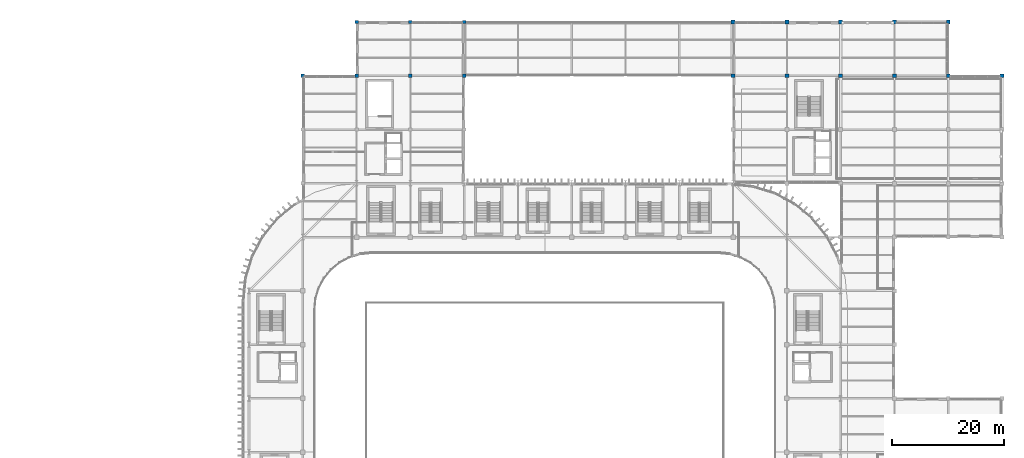
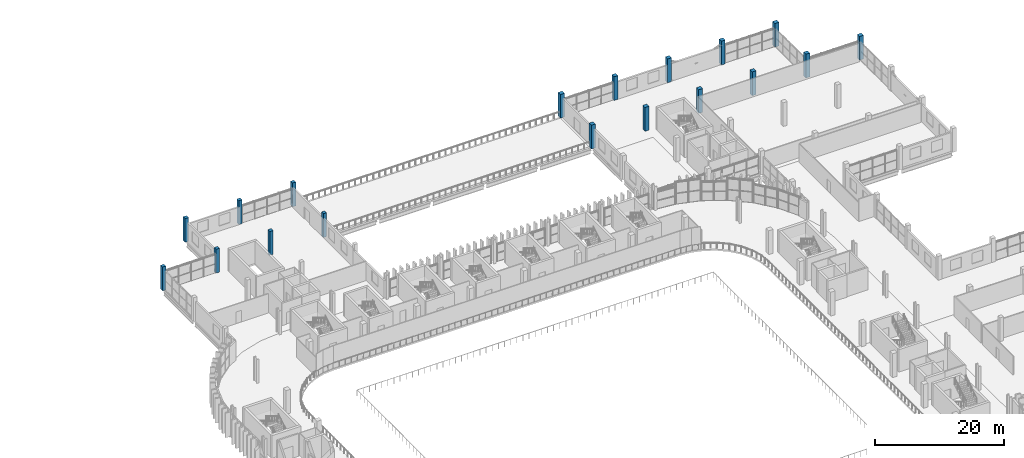
# One storey, part 5 of 75: 18 columns.
"""IFC4 building model written with IfcOpenShell, lengths in metres."""

from ifc_helpers import new_model, si_unit, direction, frame, origin, origin_2d, place, context, subcontext, project, spatial, rectangle, extrude, material, material_profile, profile_set, type_object, element, save


model = new_model("IFC4")

# Units and contexts
model_context = context("Model", 3, precision=1e-05, world=origin(), true_north=direction((0.0, 1.0)))
body_context = subcontext(model_context, "Body", "Model", "MODEL_VIEW")
ifc_project = project(units=[si_unit("LENGTHUNIT", "METRE"), si_unit("AREAUNIT", "SQUARE_METRE"), si_unit("VOLUMEUNIT", "CUBIC_METRE"), si_unit("PLANEANGLEUNIT", "RADIAN"), si_unit("MASSUNIT", "GRAM", prefix="KILO")], contexts=[model_context])

# Site, building, storey
site_placement = place(None, origin())
site = spatial("IfcSite", under=ifc_project, at=site_placement, CompositionType="ELEMENT")
building_placement = place(site_placement, origin())
building = spatial("IfcBuilding", under=site, at=building_placement, Name="Caelomonte Colonnade Arena", CompositionType="ELEMENT")
storey_placement = place(building_placement, frame((0.0, 0.0, 14.10009765625)))
storey = spatial("IfcBuildingStorey", under=building, at=storey_placement, Name="L03", CompositionType="ELEMENT", Elevation=14.10009765625)

# Columns
ifc_material = material(Name="Concrete C40/50", Category="concrete")
ifc_material_profile_1 = material_profile(ifc_material, rectangle(XDim=0.60009765625, YDim=0.60009765625, at=origin_2d()), Name="RC600X600")
ifc_profile_set_1 = profile_set([ifc_material_profile_1], Name="Concrete C40/50")
column_type_1 = type_object("IfcColumnType", Name="STR-COL-RC06", PredefinedType="COLUMN", material=ifc_profile_set_1)
for number, where, z_axis, x_axis, name in (
    (1, (67.199951171875, 134.39990234375, 0.0), (0.0, 0.0, 1.0), (1.0, 0.0, 0.0), "L03 column (67.2, 134.4)"),
    (2, (76.800048828125, 134.39990234375, 0.0), (0.0, 0.0, 1.0), (1.0, 0.0, 0.0), "L03 column (76.8, 134.4)"),
    (3, (76.800048828125, 144.0, 0.0), (0.0, 0.0, 1.0), (1.0, 0.0, 0.0), "L03 column (76.8, 144.0)"),
    (4, (86.39990234375, 134.39990234375, 0.0), (0.0, 0.0, 1.0), (1.0, 0.0, 0.0), "L03 column (86.4, 134.4)"),
    (5, (86.39990234375, 144.0, 0.0), (0.0, 0.0, 1.0), (1.0, 0.0, 0.0), "L03 column (86.4, 144.0)"),
    (6, (96.0, 134.39990234375, 0.0), (0.0, 0.0, 1.0), (1.0, 0.0, 0.0), "L03 column (96.0, 134.4)"),
    (7, (96.0, 144.0, 0.0), (0.0, 0.0, 1.0), (1.0, 0.0, 0.0), "L03 column (96.0, 144.0)"),
):
    element("IfcColumn", number, at=place(storey_placement, frame(where, z_axis=z_axis, x_axis=x_axis)), inside=storey, type_object=column_type_1, Name=name, PredefinedType="COLUMN", context=body_context, shape_type="SweptSolid", body=[
        extrude(rectangle(XDim=0.60009765625, YDim=0.60009765625, at=origin_2d()), origin(), (0.0, 0.0, 1.0), 4.5),
    ])
ifc_material_profile_2 = material_profile(ifc_material, rectangle(XDim=0.699951171875, YDim=0.699951171875, at=origin_2d()), Name="RC700X700")
ifc_profile_set_2 = profile_set([ifc_material_profile_2], Name="Concrete C40/50")
column_type_2 = type_object("IfcColumnType", Name="STR-COL-RC07", PredefinedType="COLUMN", material=ifc_profile_set_2)
for number, where, z_axis, x_axis, name in (
    (8, (144.0, 134.39990234375, 0.0), (0.0, 0.0, 1.0), (1.0, 0.0, 0.0), "L03 column (144.0, 134.4)"),
    (9, (144.0, 144.0, 0.0), (0.0, 0.0, 1.0), (1.0, 0.0, 0.0), "L03 column (144.0, 144.0)"),
    (10, (153.60009765625, 134.39990234375, 0.0), (0.0, 0.0, 1.0), (1.0, 0.0, 0.0), "L03 column (153.6, 134.4)"),
    (11, (153.60009765625, 144.0, 0.0), (0.0, 0.0, 1.0), (1.0, 0.0, 0.0), "L03 column (153.6, 144.0)"),
    (12, (163.199951171875, 134.39990234375, 0.0), (0.0, 0.0, 1.0), (1.0, 0.0, 0.0), "L03 column (163.2, 134.4)"),
    (13, (163.199951171875, 144.0, 0.0), (0.0, 0.0, 1.0), (1.0, 0.0, 0.0), "L03 column (163.2, 144.0)"),
    (14, (172.800048828125, 134.39990234375, 0.0), (0.0, 0.0, 1.0), (1.0, 0.0, 0.0), "L03 column (172.8, 134.4)"),
    (15, (172.800048828125, 144.0, 0.0), (0.0, 0.0, 1.0), (1.0, 0.0, 0.0), "L03 column (172.8, 144.0)"),
    (16, (182.39990234375, 134.39990234375, 0.0), (0.0, 0.0, 1.0), (1.0, 0.0, 0.0), "L03 column (182.4, 134.4)"),
    (17, (182.39990234375, 144.0, 0.0), (0.0, 0.0, 1.0), (1.0, 0.0, 0.0), "L03 column (182.4, 144.0)"),
    (18, (192.0, 134.39990234375, 0.0), (0.0, 0.0, 1.0), (1.0, 0.0, 0.0), "L03 column (192.0, 134.4)"),
):
    element("IfcColumn", number, at=place(storey_placement, frame(where, z_axis=z_axis, x_axis=x_axis)), inside=storey, type_object=column_type_2, Name=name, PredefinedType="COLUMN", context=body_context, shape_type="SweptSolid", body=[
        extrude(rectangle(XDim=0.699951171875, YDim=0.699951171875, at=origin_2d()), origin(), (0.0, 0.0, 1.0), 4.5),
    ])

save(model, "model.ifc")
